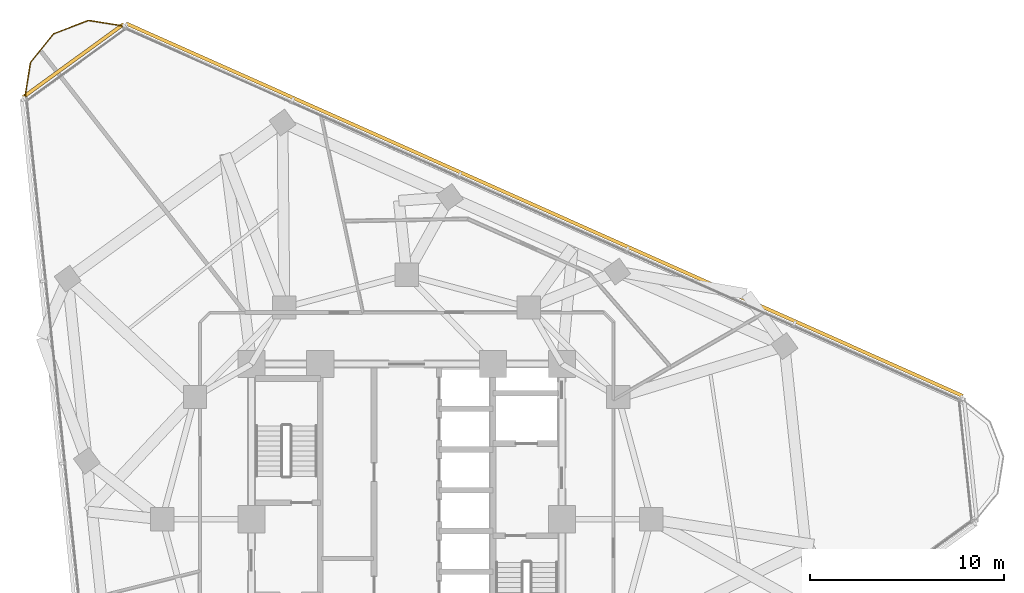
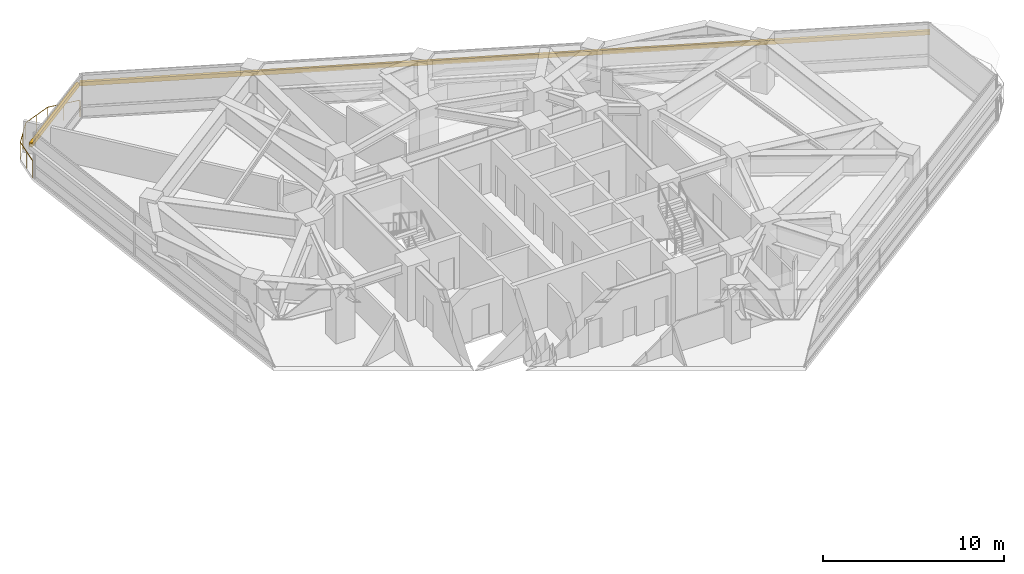
# One storey, part 14 of 14: 2 shading devices, 1 railing.
"""IFC4 building model written with IfcOpenShell, lengths in metres."""

from ifc_helpers import new_model, si_unit, direction, frame, origin, origin_2d, place, context, subcontext, project, spatial, rectangle, circle, extrude, material, layer, layer_set, type_object, element, save


model = new_model("IFC4")

# Units and contexts
model_context = context("Model", 3, precision=1e-05, world=origin(), true_north=direction((0.0, 1.0)))
body_context = subcontext(model_context, "Body", "Model", "MODEL_VIEW")
ifc_project = project(units=[si_unit("LENGTHUNIT", "METRE"), si_unit("AREAUNIT", "SQUARE_METRE"), si_unit("VOLUMEUNIT", "CUBIC_METRE"), si_unit("PLANEANGLEUNIT", "RADIAN"), si_unit("MASSUNIT", "GRAM", prefix="KILO")], contexts=[model_context])

# Site, building, storey
site_placement = place(None, origin())
site = spatial("IfcSite", under=ifc_project, at=site_placement, CompositionType="ELEMENT")
building_placement = place(site_placement, origin())
building = spatial("IfcBuilding", under=site, at=building_placement, Name="Terralouvre Media Tower", CompositionType="ELEMENT")
storey_placement = place(building_placement, frame((0.0, 0.0, 180.5)))
storey = spatial("IfcBuildingStorey", under=building, at=storey_placement, Name="L46", CompositionType="ELEMENT", Elevation=180.5)

# Railing
ifc_material_1 = material(Name="Stainless steel 316 handrail and balustrade", Category="steel")
ifc_layer = layer(ifc_material_1, 0.06005859375, Name="Roof Edge Safety Guardrail GR-ROOF1")
ifc_layer_set = layer_set([ifc_layer], Name="Stainless steel 316 handrail and balustrade")
railing_type = type_object("IfcRailingType", Name="Roof Edge Safety Guardrail GR-ROOF1", PredefinedType="GUARDRAIL", material=ifc_layer_set)
railing_placement = place(storey_placement, frame((-14.50537109375, 25.41357421875, 0.0)))
element("IfcRailing", 1, at=railing_placement, inside=storey, type_object=railing_type, Name="L46 Wind-Corner Perimeter Safety Guardrail C2", PredefinedType="GUARDRAIL", context=body_context, shape_type="SweptSolid", body=[
    extrude(circle(Radius=0.02099609375, at=origin_2d()), frame((0.0, 0.0, 1.12890625), z_axis=(-0.987645867018, 0.156702397439, 0.0), x_axis=(-0.156702397439, -0.987645867018, 0.0)), (0.0, 0.0, 1.0), 1.914794921875),
    extrude(circle(Radius=0.02099609375, at=origin_2d()), frame((-1.89111328125, 0.300048828125, 1.12890625), z_axis=(-0.933575508152, -0.358380762009, 0.0), x_axis=(0.358380762009, -0.933575508152, 0.0)), (0.0, 0.0, 1.0), 1.914306640625),
    extrude(circle(Radius=0.02099609375, at=origin_2d()), frame((-3.67822265625, -0.385986328125, 1.12890625), z_axis=(-0.629256927844, -0.777197348658, 0.0), x_axis=(0.777197348658, -0.629256927844, 0.0)), (0.0, 0.0, 1.0), 1.914306640625),
    extrude(circle(Radius=0.02099609375, at=origin_2d()), frame((-4.8828125, -1.873779296875, 1.12890625), z_axis=(-0.156204845685, -0.987724681369, 0.0), x_axis=(0.987724681369, -0.156204845685, 0.0)), (0.0, 0.0, 1.0), 1.91455078125),
    extrude(circle(Radius=0.01904296875, at=origin_2d()), origin(), (0.0, 0.0, 1.0), 1.10791015625),
    extrude(circle(Radius=0.01904296875, at=origin_2d()), frame((-0.945556640625, 0.14990234375, 0.0)), (0.0, 0.0, 1.0), 1.10791015625),
    extrude(circle(Radius=0.01904296875, at=origin_2d()), frame((-1.89111328125, 0.300048828125, 0.0)), (0.0, 0.0, 1.0), 1.10791015625),
    extrude(circle(Radius=0.01904296875, at=origin_2d()), frame((-2.78466796875, -0.04296875, 0.0)), (0.0, 0.0, 1.0), 1.10791015625),
    extrude(circle(Radius=0.01904296875, at=origin_2d()), frame((-3.67822265625, -0.385986328125, 0.0)), (0.0, 0.0, 1.0), 1.10791015625),
    extrude(circle(Radius=0.01904296875, at=origin_2d()), frame((-4.280517578125, -1.1298828125, 0.0)), (0.0, 0.0, 1.0), 1.10791015625),
    extrude(circle(Radius=0.01904296875, at=origin_2d()), frame((-4.8828125, -1.873779296875, 0.0)), (0.0, 0.0, 1.0), 1.10791015625),
    extrude(circle(Radius=0.01904296875, at=origin_2d()), frame((-5.0322265625, -2.8193359375, 0.0)), (0.0, 0.0, 1.0), 1.10791015625),
    extrude(circle(Radius=0.01904296875, at=origin_2d()), frame((-5.181884765625, -3.764892578125, 0.0)), (0.0, 0.0, 1.0), 1.10791015625),
])

# Shading devices
ifc_material_2 = material(Name="Extruded terracotta baguette sunshade louvres", Category="masonry")
shading_device_type = type_object("IfcShadingDeviceType", Name="Terracotta Baguette Sunshade Louvre Screen TB-LV1", PredefinedType="USERDEFINED", material=ifc_material_2)
shading_device_1_placement = place(storey_placement, frame((7.103759765625, 15.95556640625, 2.02392578125), z_axis=(0.0, 0.0, 1.0), x_axis=(-0.913545469547, 0.406736616337, 0.0)))
element("IfcShadingDevice", 2, at=shading_device_1_placement, inside=storey, type_object=shading_device_type, Name="CW-L46-F1 Terracotta Baguette Sunshade Louvre", ObjectType="BAGUETTE", PredefinedType="USERDEFINED", context=body_context, shape_type="SweptSolid", body=[
    extrude(rectangle(XDim=47.199951171875, YDim=0.179931640625, at=origin_2d()), origin(), (0.0, 0.0, 1.0), 0.280029296875),
])
shading_device_2_placement = place(storey_placement, frame((-17.175537109375, 23.64013671875, 2.02392578125), z_axis=(0.0, 0.0, 1.0), x_axis=(-0.809017438344, -0.587784641221, 0.0)))
element("IfcShadingDevice", 3, at=shading_device_2_placement, inside=storey, type_object=shading_device_type, Name="CW-L46-C2 Terracotta Baguette Sunshade Louvre", ObjectType="BAGUETTE", PredefinedType="USERDEFINED", context=body_context, shape_type="SweptSolid", body=[
    extrude(rectangle(XDim=6.40869140625, YDim=0.179931640625, at=origin_2d()), origin(), (0.0, 0.0, 1.0), 0.280029296875),
])

save(model, "model.ifc")
